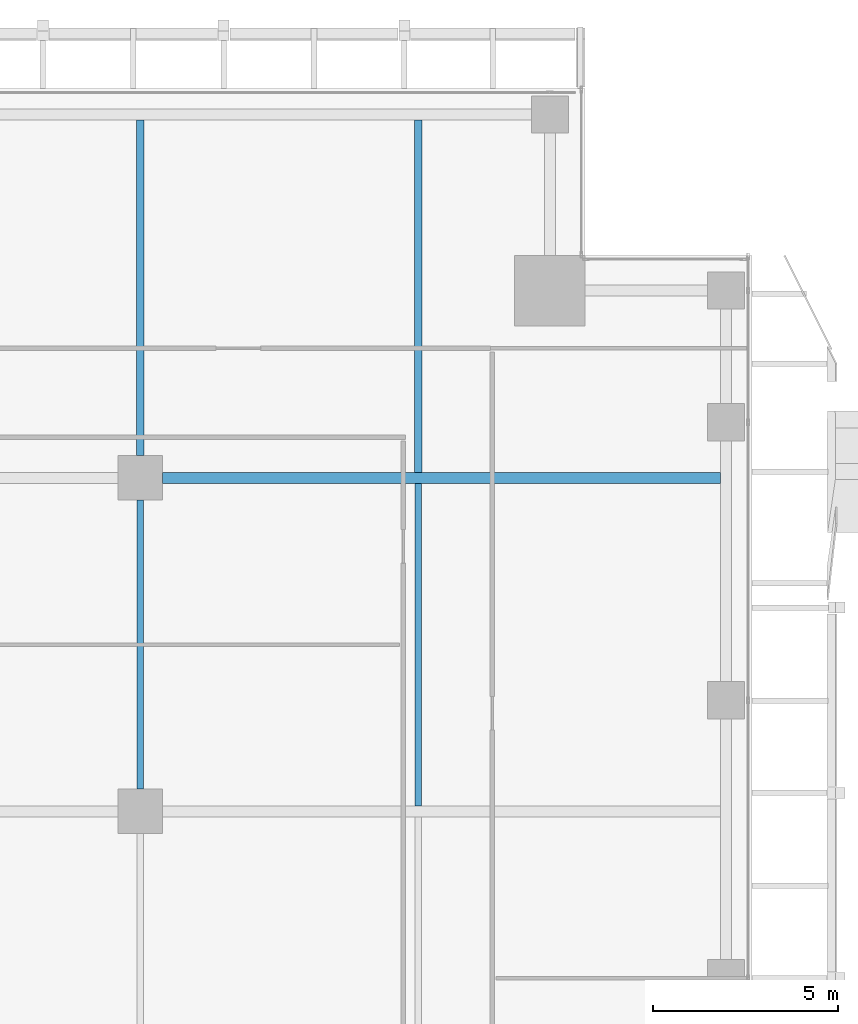
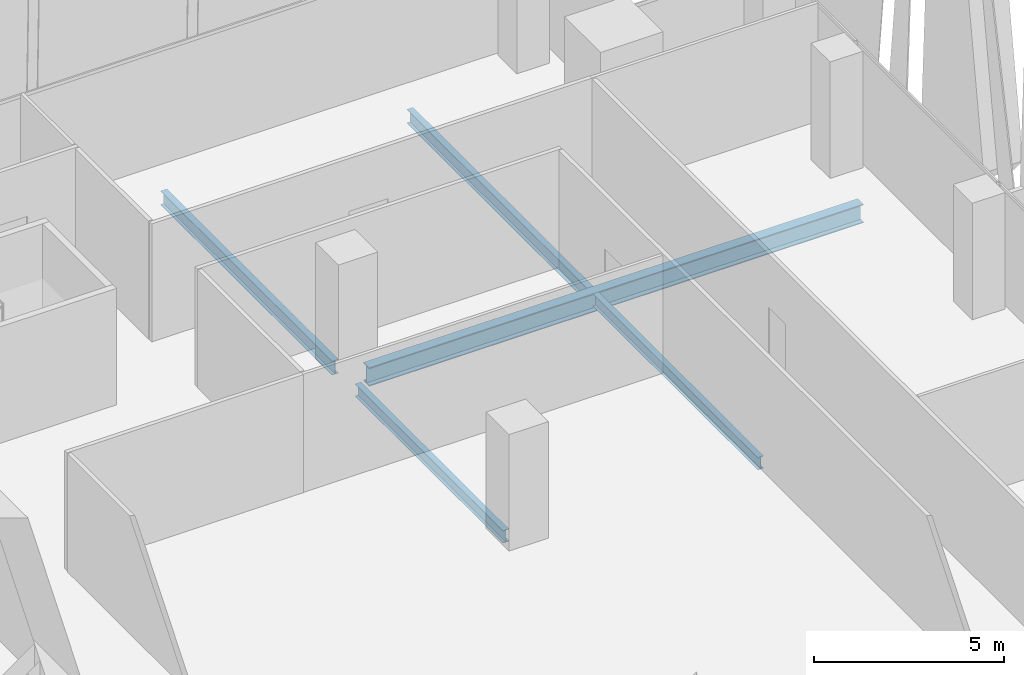
# One storey, part 18 of 35: 5 beams.
"""IFC4 building model written with IfcOpenShell, lengths in metres."""

import ifcopenshell
import ifcopenshell.guid

model = None  # the IFC model being written
_history = None  # IfcOwnerHistory: only IFC2X3 demands one
_inside = {}  # id of a spatial element -> (the spatial element, [elements in it])
_under = {}  # id of a project, library or spatial element -> (it, [spatial elements below it])
_declared = {}  # id of a project -> (the project, [libraries it declares])
_typed = {}  # id of a type object -> (the type object, [elements of that type])
_made_of = {}  # id of a material, layer set ... -> (it, [elements and type objects made of it])


def new_model(schema):
    """Start an empty IFC model of exactly this schema.

    Asked for "IFC4X3", IfcOpenShell would pick the latest addendum, in which some entities
    have other attributes; the version numbers below select the first issue.
    IFC2X3 requires an IfcOwnerHistory on every rooted entity: one is made here for all.
    """
    global model, _history
    if schema == "IFC4X3":
        model = ifcopenshell.file(schema_version=(4, 3, 0, 0))
    else:
        model = ifcopenshell.file(schema=schema)
    _inside.clear()
    _under.clear()
    _declared.clear()
    _typed.clear()
    _made_of.clear()
    _history = None
    if model.schema == "IFC2X3":
        org = make("IfcOrganization", Name="unknown")
        user = make(
            "IfcPersonAndOrganization",
            ThePerson=make("IfcPerson", FamilyName="unknown"),
            TheOrganization=org,
        )
        app = make(
            "IfcApplication",
            ApplicationDeveloper=org,
            Version="unknown",
            ApplicationFullName="unknown",
            ApplicationIdentifier="unknown",
        )
        _history = make(
            "IfcOwnerHistory",
            OwningUser=user,
            OwningApplication=app,
            ChangeAction="ADDED",
            CreationDate=0,
        )
    return model


def make(cls, **values):
    """One entity of the class cls with the attributes given. An attribute that is None is left unset."""
    return model.create_entity(
        cls, **{name: value for name, value in values.items() if value is not None}
    )


def rooted(cls, **values):
    """An entity with a GlobalId (a new one), such as an element, a storey or a relation."""
    return make(cls, GlobalId=ifcopenshell.guid.new(), OwnerHistory=_history, **values)


def si_unit(unit_type, name, prefix=None):
    """IfcSIUnit, for example si_unit("LENGTHUNIT", "METRE", prefix="MILLI")."""
    return make("IfcSIUnit", UnitType=unit_type, Prefix=prefix, Name=name)


def assignment(units):
    """IfcUnitAssignment: the units of a project."""
    return None if units is None else make("IfcUnitAssignment", Units=units)


def point(xyz):
    """IfcCartesianPoint."""
    return None if xyz is None else make("IfcCartesianPoint", Coordinates=xyz)


def direction(xyz):
    """IfcDirection."""
    return None if xyz is None else make("IfcDirection", DirectionRatios=xyz)


def frame(location, z_axis=None, x_axis=None):
    """IfcAxis2Placement3D, a coordinate frame: its origin and axes. An axis left out is left unset."""
    return make(
        "IfcAxis2Placement3D",
        Location=point(location),
        Axis=direction(z_axis),
        RefDirection=direction(x_axis),
    )


def frame_2d(location, x_axis=None):
    """IfcAxis2Placement2D, a coordinate frame in the plane: its origin and x axis."""
    return make(
        "IfcAxis2Placement2D", Location=point(location), RefDirection=direction(x_axis)
    )


def origin():
    """The frame at (0, 0, 0) with its axes left unset."""
    return frame((0.0, 0.0, 0.0))


def origin_2d():
    """The frame at (0, 0) in the plane with its x axis left unset."""
    return frame_2d((0.0, 0.0))


def place(relative_to, where):
    """IfcLocalPlacement: puts the frame where relative to a parent placement (None: the world)."""
    return make(
        "IfcLocalPlacement", PlacementRelTo=relative_to, RelativePlacement=where
    )


def context(
    kind, dimensions, precision=None, world=None, true_north=None, identifier=None
):
    """IfcGeometricRepresentationContext, for example the 3D "Model" context."""
    return make(
        "IfcGeometricRepresentationContext",
        ContextIdentifier=identifier,
        ContextType=kind,
        CoordinateSpaceDimension=dimensions,
        Precision=precision,
        WorldCoordinateSystem=world,
        TrueNorth=true_north,
    )


def subcontext(parent, identifier, kind, view, scale=None):
    """IfcGeometricRepresentationSubContext, for example "Body" below "Model"."""
    return make(
        "IfcGeometricRepresentationSubContext",
        ContextIdentifier=identifier,
        ContextType=kind,
        ParentContext=parent,
        TargetScale=scale,
        TargetView=view,
    )


def project(units=None, contexts=None):
    """IfcProject with its units and contexts."""
    return rooted(
        "IfcProject",
        Name="project",
        RepresentationContexts=contexts,
        UnitsInContext=assignment(units),
    )


def spatial(cls, under=None, at=None, **own):
    """A site, building, storey or space (cls), placed at a placement, below another one or the project."""
    s = rooted(cls, ObjectPlacement=at, **own)
    if under is not None:
        _under.setdefault(under.id(), (under, []))[1].append(s)
    return s


def profile(cls, at=None, kind="AREA", **sizes):
    """A parametric profile (cls). Its sizes go by their IFC names, for example OverallWidth=200.0."""
    return make(cls, ProfileType=kind, Position=at, **sizes)


def i_section(**sizes):
    """IfcIShapeProfileDef."""
    return profile("IfcIShapeProfileDef", **sizes)


def extrude(swept, where, along, depth):
    """IfcExtrudedAreaSolid: the profile swept, set in the frame where, extruded along a direction by depth."""
    return make(
        "IfcExtrudedAreaSolid",
        SweptArea=swept,
        Position=where,
        ExtrudedDirection=direction(along),
        Depth=depth,
    )


def shape(context_of_items, identifier, shape_type, items):
    """IfcShapeRepresentation: the items that make up one representation, for example the "Body"."""
    return make(
        "IfcShapeRepresentation",
        ContextOfItems=context_of_items,
        RepresentationIdentifier=identifier,
        RepresentationType=shape_type,
        Items=items,
    )


def source(mapping_origin, context_of_items, identifier, shape_type, items):
    """IfcRepresentationMap: a shape defined once, which mapped items show again and again."""
    return make(
        "IfcRepresentationMap",
        MappingOrigin=mapping_origin,
        MappedRepresentation=shape(context_of_items, identifier, shape_type, items),
    )


def transform(
    local_origin,
    x_axis=None,
    y_axis=None,
    z_axis=None,
    scale=None,
    scale2=None,
    scale3=None,
    uniform=True,
):
    """IfcCartesianTransformationOperator3D, or its non-uniform kind. x_axis, y_axis, z_axis: its Axis1, 2, 3."""
    if uniform:
        return make(
            "IfcCartesianTransformationOperator3D",
            Axis1=direction(x_axis),
            Axis2=direction(y_axis),
            LocalOrigin=point(local_origin),
            Scale=scale,
            Axis3=direction(z_axis),
        )
    return make(
        "IfcCartesianTransformationOperator3DnonUniform",
        Axis1=direction(x_axis),
        Axis2=direction(y_axis),
        LocalOrigin=point(local_origin),
        Scale=scale,
        Axis3=direction(z_axis),
        Scale2=scale2,
        Scale3=scale3,
    )


def mapped(mapping_source, mapping_target):
    """IfcMappedItem: shows the shape of a source again, moved by a transform."""
    return make(
        "IfcMappedItem", MappingSource=mapping_source, MappingTarget=mapping_target
    )


def material(Name=None, Category=None):
    """IfcMaterial."""
    return make("IfcMaterial", Name=Name, Category=Category)


def material_profile(
    of_material, cross_section, Name=None, Category=None, Priority=None
):
    """IfcMaterialProfile: a cross section and its material."""
    return make(
        "IfcMaterialProfile",
        Name=Name,
        Material=of_material,
        Profile=cross_section,
        Priority=Priority,
        Category=Category,
    )


def profile_set(profiles, Name=None, composite=None):
    """IfcMaterialProfileSet."""
    return make(
        "IfcMaterialProfileSet",
        Name=Name,
        MaterialProfiles=profiles,
        CompositeProfile=composite,
    )


def made_of(thing, what):
    """Note that an element or type object is made of a material, layer set ...; save() writes the relation."""
    if what is not None:
        _made_of.setdefault(what.id(), (what, []))[1].append(thing)
    return thing


def type_object(cls, material=None, **own):
    """A type object (cls), such as IfcWallType, which elements share."""
    return made_of(rooted(cls, **own), material)


def element(
    cls,
    number,
    at=None,
    inside=None,
    cuts=None,
    type_object=None,
    material=None,
    context=None,
    identifier="Body",
    shape_type=None,
    held_by="IfcProductDefinitionShape",
    body=None,
    shapes=None,
    **own,
):
    """One element of the class cls, such as IfcWall. Its Tag is "e" and its number.

    at: its placement. inside: the storey or other place that contains it. cuts: it is an
    opening in that element (IfcRelVoidsElement). A single representation is given by context,
    identifier, shape_type and body (its items); several are given by shapes. held_by: the class
    of the entity that holds the representations. save() writes the other relations.
    """
    e = rooted(cls, Tag="e%d" % number, ObjectPlacement=at, **own)
    if body is not None:
        shapes = [shape(context, identifier, shape_type, body)]
    if shapes is not None:
        e.Representation = make(held_by, Representations=shapes)
    if inside is not None:
        _inside.setdefault(inside.id(), (inside, []))[1].append(e)
    if cuts is not None:
        rooted(
            "IfcRelVoidsElement", RelatingBuildingElement=cuts, RelatedOpeningElement=e
        )
    if type_object is not None:
        _typed.setdefault(type_object.id(), (type_object, []))[1].append(e)
    return made_of(e, material)


def aggregate(whole, parts):
    """IfcRelAggregates: a whole, such as a stair, and the parts it consists of."""
    return rooted("IfcRelAggregates", RelatingObject=whole, RelatedObjects=parts)


def save(model, path):
    """Write the relations noted so far, then the file.

    IfcRelAggregates (storeys below a building ...), IfcRelContainedInSpatialStructure (elements
    in a storey), IfcRelDefinesByType, IfcRelAssociatesMaterial and IfcRelDeclares: one each for
    every whole, place, type object, material and project.
    """
    for whole, parts in _under.values():
        aggregate(whole, parts)
    for where, things in _inside.values():
        rooted(
            "IfcRelContainedInSpatialStructure",
            RelatedElements=things,
            RelatingStructure=where,
        )
    for kind, things in _typed.values():
        rooted("IfcRelDefinesByType", RelatedObjects=things, RelatingType=kind)
    for what, things in _made_of.values():
        rooted("IfcRelAssociatesMaterial", RelatedObjects=things, RelatingMaterial=what)
    for by, libraries in _declared.values():
        rooted("IfcRelDeclares", RelatingContext=by, RelatedDefinitions=libraries)
    model.write(path)


model = new_model("IFC4")

# Units and contexts
model_context = context("Model", 3, precision=1e-05, world=origin(), true_north=direction((0.0, 1.0)))
body_context = subcontext(model_context, "Body", "Model", "MODEL_VIEW")
ifc_project = project(units=[si_unit("LENGTHUNIT", "METRE"), si_unit("AREAUNIT", "SQUARE_METRE"), si_unit("VOLUMEUNIT", "CUBIC_METRE"), si_unit("PLANEANGLEUNIT", "RADIAN"), si_unit("MASSUNIT", "GRAM", prefix="KILO")], contexts=[model_context])

# Site, building, storey
site_placement = place(None, origin())
site = spatial("IfcSite", under=ifc_project, at=site_placement, CompositionType="ELEMENT")
building_placement = place(site_placement, origin())
building = spatial("IfcBuilding", under=site, at=building_placement, Name="Khomas Fold Tower", CompositionType="ELEMENT")
storey_placement = place(building_placement, frame((0.0, 0.0, 200.699951171875)))
storey = spatial("IfcBuildingStorey", under=building, at=storey_placement, Name="L44", CompositionType="ELEMENT", Elevation=200.699951171875)

# Beams
ifc_material_1 = material(Name="Steel S355", Category="steel")
ifc_material_profile_1 = material_profile(ifc_material_1, i_section(OverallWidth=0.179931640625, OverallDepth=0.39990234375, WebThickness=0.008544921875, FlangeThickness=0.013427734375, at=origin_2d()), Name="IPE 400")
ifc_profile_set_1 = profile_set([ifc_material_profile_1], Name="Steel S355")
beam_type_1 = type_object("IfcBeamType", Name="IPE 400 beam JB3", PredefinedType="BEAM", material=ifc_profile_set_1)
shared_shape_1 = source(origin(), body_context, "Body", "SweptSolid", [
    extrude(i_section(OverallWidth=0.179931640625, OverallDepth=0.39990234375, WebThickness=0.008544921875, FlangeThickness=0.013427734375, at=origin_2d()), origin(), (0.0, 0.0, 1.0), 8.7001953125),
])
beam_1_placement = place(storey_placement, frame((42.0, 31.64990234375, -0.449951171875), z_axis=(0.0, 1.0, 0.0), x_axis=(-1.0, 0.0, 0.0)))
element("IfcBeam", 1, at=beam_1_placement, inside=storey, type_object=beam_type_1, Name="JB3", PredefinedType="BEAM", context=body_context, shape_type="MappedRepresentation", body=[
    mapped(shared_shape_1, transform((0.0, 0.0, 0.0))),
])
ifc_material_2 = material(Name="Steel S355", Category="steel")
ifc_material_profile_2 = material_profile(ifc_material_2, i_section(OverallWidth=0.300048828125, OverallDepth=0.60009765625, WebThickness=0.015380859375, FlangeThickness=0.030029296875, at=origin_2d()), Name="HE 600 B")
ifc_profile_set_2 = profile_set([ifc_material_profile_2], Name="Steel S355")
beam_type_2 = type_object("IfcBeamType", Name="HE 600 B beam GB5", PredefinedType="BEAM", material=ifc_profile_set_2)
shared_shape_2 = source(origin(), body_context, "Body", "SweptSolid", [
    extrude(i_section(OverallWidth=0.300048828125, OverallDepth=0.60009765625, WebThickness=0.015380859375, FlangeThickness=0.030029296875, at=origin_2d()), origin(), (0.0, 0.0, 1.0), 15.0498046875),
])
beam_2_placement = place(storey_placement, frame((35.10009765625, 40.5, -0.550048828125), z_axis=(1.0, 0.0, 0.0), x_axis=(0.0, 1.0, 0.0)))
element("IfcBeam", 2, at=beam_2_placement, inside=storey, type_object=beam_type_2, Name="GB5", PredefinedType="BEAM", context=body_context, shape_type="MappedRepresentation", body=[
    mapped(shared_shape_2, transform((0.0, 0.0, 0.0))),
])
shared_shape_3 = source(origin(), body_context, "Body", "SweptSolid", [
    extrude(i_section(OverallWidth=0.179931640625, OverallDepth=0.39990234375, WebThickness=0.008544921875, FlangeThickness=0.013427734375, at=origin_2d()), origin(), (0.0, 0.0, 1.0), 7.7998046875),
])
beam_3_placement = place(storey_placement, frame((34.5, 32.10009765625, -0.449951171875), z_axis=(0.0, 1.0, 0.0), x_axis=(-1.0, 0.0, 0.0)))
element("IfcBeam", 3, at=beam_3_placement, inside=storey, type_object=beam_type_1, Name="JB3", PredefinedType="BEAM", context=body_context, shape_type="MappedRepresentation", body=[
    mapped(shared_shape_3, transform((0.0, 0.0, 0.0))),
])
ifc_material_3 = material(Name="Steel S355", Category="steel")
ifc_material_profile_3 = material_profile(ifc_material_3, i_section(OverallWidth=0.18994140625, OverallDepth=0.449951171875, WebThickness=0.009521484375, FlangeThickness=0.0146484375, at=origin_2d()), Name="IPE 450")
ifc_profile_set_3 = profile_set([ifc_material_profile_3], Name="Steel S355")
beam_type_3 = type_object("IfcBeamType", Name="IPE 450 beam JB4", PredefinedType="BEAM", material=ifc_profile_set_3)
shared_shape_4 = source(origin(), body_context, "Body", "SweptSolid", [
    extrude(i_section(OverallWidth=0.18994140625, OverallDepth=0.449951171875, WebThickness=0.009521484375, FlangeThickness=0.0146484375, at=origin_2d()), origin(), (0.0, 0.0, 1.0), 9.5),
])
beam_4_placement = place(storey_placement, frame((42.0, 40.64990234375, -0.474853515625), z_axis=(0.0, 1.0, 0.0), x_axis=(-1.0, 0.0, 0.0)))
element("IfcBeam", 4, at=beam_4_placement, inside=storey, type_object=beam_type_3, Name="JB4", PredefinedType="BEAM", context=body_context, shape_type="MappedRepresentation", body=[
    mapped(shared_shape_4, transform((0.0, 0.0, 0.0))),
])
shared_shape_5 = source(origin(), body_context, "Body", "SweptSolid", [
    extrude(i_section(OverallWidth=0.18994140625, OverallDepth=0.449951171875, WebThickness=0.009521484375, FlangeThickness=0.0146484375, at=origin_2d()), origin(), (0.0, 0.0, 1.0), 9.0498046875),
])
beam_5_placement = place(storey_placement, frame((34.5, 41.10009765625, -0.474853515625), z_axis=(0.0, 1.0, 0.0), x_axis=(-1.0, 0.0, 0.0)))
element("IfcBeam", 5, at=beam_5_placement, inside=storey, type_object=beam_type_3, Name="JB4", PredefinedType="BEAM", context=body_context, shape_type="MappedRepresentation", body=[
    mapped(shared_shape_5, transform((0.0, 0.0, 0.0))),
])

save(model, "model.ifc")
